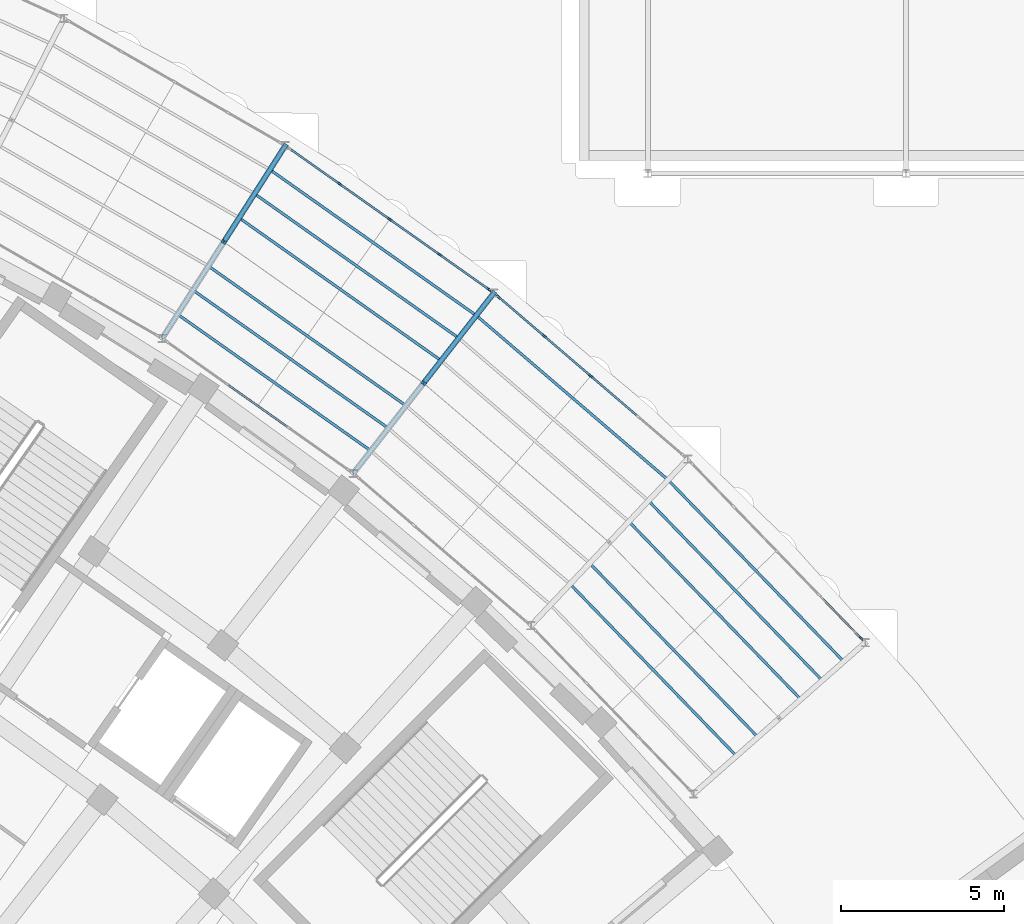
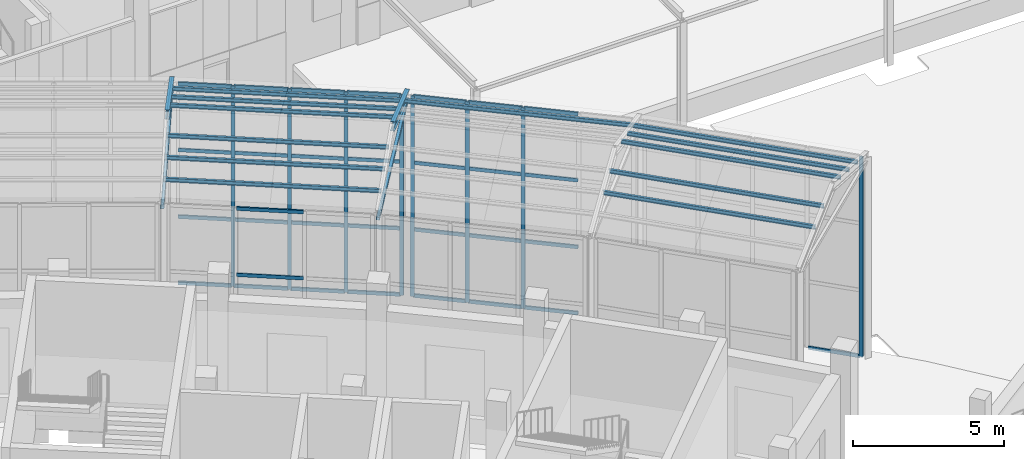
# One storey, part 56 of 155: 51 members, 4 beams, 4 elements without a shape of their own.
"""IFC4 building model written with IfcOpenShell, lengths in metres."""

from ifc_helpers import new_model, si_unit, direction, frame, origin, origin_2d, place, context, subcontext, project, spatial, rectangle, hollow_rectangle, i_section, extrude, material, layer, layer_set, material_profile, profile_set, type_object, element, aggregate, save


model = new_model("IFC4")

# Units and contexts
model_context = context("Model", 3, precision=1e-05, world=origin(), true_north=direction((0.0, 1.0)))
body_context = subcontext(model_context, "Body", "Model", "MODEL_VIEW")
ifc_project = project(units=[si_unit("LENGTHUNIT", "METRE"), si_unit("AREAUNIT", "SQUARE_METRE"), si_unit("VOLUMEUNIT", "CUBIC_METRE"), si_unit("PLANEANGLEUNIT", "RADIAN"), si_unit("MASSUNIT", "GRAM", prefix="KILO")], contexts=[model_context])

# Site, building, storey
site_placement = place(None, origin())
site = spatial("IfcSite", under=ifc_project, at=site_placement, CompositionType="ELEMENT")
building_placement = place(site_placement, origin())
building = spatial("IfcBuilding", under=site, at=building_placement, Name="Lunette Opera House", CompositionType="ELEMENT")
storey_placement = place(building_placement, origin())
storey = spatial("IfcBuildingStorey", under=building, at=storey_placement, Name="L00", CompositionType="ELEMENT", Elevation=0.0)

# Curtain wall, members
ifc_material_1 = material(Name="Aluminium", Category="aluminium")
ifc_layer = layer(ifc_material_1, 0.139892578125)
ifc_layer_set = layer_set([ifc_layer], Name="Aluminium")
curtain_wall_type = type_object("IfcCurtainWallType", Name="PASSAGE CURTAIN WALL", PredefinedType="NOTDEFINED", material=ifc_layer_set)
curtain_wall_1_placement = place(storey_placement, origin())
curtain_wall_1 = element("IfcCurtainWall", 1, at=curtain_wall_1_placement, inside=storey, type_object=curtain_wall_type, Name="Passage Curtain Wall EO4 L00", PredefinedType="NOTDEFINED")
ifc_material_2 = material(Name="Aluminium", Category="aluminium")
ifc_material_profile_1 = material_profile(ifc_material_2, rectangle(XDim=0.06005859375, YDim=0.139892578125, at=origin_2d()), Name="MULLION 60 X 140")
ifc_profile_set_1 = profile_set([ifc_material_profile_1], Name="Aluminium")
member_type_1 = type_object("IfcMemberType", Name="MULLION 60 X 140", PredefinedType="MULLION", material=ifc_profile_set_1)
member_1_placement = place(storey_placement, frame((142.662841796875, 69.2802734375, 0.0), z_axis=(0.0, 0.0, 1.0), x_axis=(0.577075112682, 0.816691076431, 0.0)))
member_1 = element("IfcMember", 2, at=member_1_placement, type_object=member_type_1, Name="PP-X2010 mullion 2", PredefinedType="MULLION", context=body_context, shape_type="SweptSolid", body=[
    extrude(rectangle(XDim=0.06005859375, YDim=0.139892578125, at=origin_2d()), origin(), (0.0, 0.0, 1.0), 8.10009765625),
])
member_2_placement = place(storey_placement, frame((144.196533203125, 68.196533203125, 0.0), z_axis=(0.0, 0.0, 1.0), x_axis=(0.577075112682, 0.816691076431, 0.0)))
member_2 = element("IfcMember", 3, at=member_2_placement, type_object=member_type_1, Name="PP-X2010 mullion 3", PredefinedType="MULLION", context=body_context, shape_type="SweptSolid", body=[
    extrude(rectangle(XDim=0.06005859375, YDim=0.139892578125, at=origin_2d()), origin(), (0.0, 0.0, 1.0), 8.10009765625),
])
member_3_placement = place(storey_placement, frame((145.730224609375, 67.11279296875, 0.0), z_axis=(0.0, 0.0, 1.0), x_axis=(0.577075112682, 0.816691076431, 0.0)))
member_3 = element("IfcMember", 4, at=member_3_placement, type_object=member_type_1, Name="PP-X2010 mullion 4", PredefinedType="MULLION", context=body_context, shape_type="SweptSolid", body=[
    extrude(rectangle(XDim=0.06005859375, YDim=0.139892578125, at=origin_2d()), origin(), (0.0, 0.0, 1.0), 8.10009765625),
])
member_4_placement = place(storey_placement, frame((147.239501953125, 66.04638671875, 0.0), z_axis=(0.0, 0.0, 1.0), x_axis=(0.577075112682, 0.816691076431, 0.0)))
member_4 = element("IfcMember", 5, at=member_4_placement, type_object=member_type_1, Name="PP-X2010 mullion 5", PredefinedType="MULLION", context=body_context, shape_type="SweptSolid", body=[
    extrude(rectangle(XDim=0.06005859375, YDim=0.139892578125, at=origin_2d()), origin(), (0.0, 0.0, 1.0), 8.10009765625),
])

curtain_wall_2_placement = place(storey_placement, origin())
curtain_wall_2 = element("IfcCurtainWall", 6, at=curtain_wall_2_placement, inside=storey, type_object=curtain_wall_type, Name="Passage Curtain Wall EO5 L00", PredefinedType="NOTDEFINED")
member_5_placement = place(storey_placement, frame((147.523681640625, 65.824462890625, 0.0), z_axis=(0.0, 0.0, 1.0), x_axis=(0.650857137882, 0.759200227916, 0.0)))
member_5 = element("IfcMember", 7, at=member_5_placement, type_object=member_type_1, Name="PP-X2011 mullion 1", PredefinedType="MULLION", context=body_context, shape_type="SweptSolid", body=[
    extrude(rectangle(XDim=0.06005859375, YDim=0.139892578125, at=origin_2d()), origin(), (0.0, 0.0, 1.0), 8.10009765625),
])
member_6_placement = place(storey_placement, frame((148.927001953125, 64.62158203125, 0.0), z_axis=(0.0, 0.0, 1.0), x_axis=(0.650857137882, 0.759200227916, 0.0)))
member_6 = element("IfcMember", 8, at=member_6_placement, type_object=member_type_1, Name="PP-X2011 mullion 2", PredefinedType="MULLION", context=body_context, shape_type="SweptSolid", body=[
    extrude(rectangle(XDim=0.06005859375, YDim=0.139892578125, at=origin_2d()), origin(), (0.0, 0.0, 1.0), 8.10009765625),
])
member_7_placement = place(storey_placement, frame((150.35302734375, 63.39892578125, 0.0), z_axis=(0.0, 0.0, 1.0), x_axis=(0.650857137882, 0.759200227916, 0.0)))
member_7 = element("IfcMember", 9, at=member_7_placement, type_object=member_type_1, Name="PP-X2011 mullion 3", PredefinedType="MULLION", context=body_context, shape_type="SweptSolid", body=[
    extrude(rectangle(XDim=0.06005859375, YDim=0.139892578125, at=origin_2d()), origin(), (0.0, 0.0, 1.0), 8.10009765625),
])

# Curtain wall, member
curtain_wall_3_placement = place(storey_placement, origin())
curtain_wall_3 = element("IfcCurtainWall", 10, at=curtain_wall_3_placement, inside=storey, type_object=curtain_wall_type, Name="Passage Curtain Wall EO6 L00", PredefinedType="NOTDEFINED")
member_8_placement = place(storey_placement, frame((158.626220703125, 55.36865234375, 0.0), z_axis=(0.0, 0.0, 1.0), x_axis=(0.718786617652, 0.695230751825, 0.0)))
member_8 = element("IfcMember", 11, at=member_8_placement, type_object=member_type_1, Name="PP-X2012 mullion 5", PredefinedType="MULLION", context=body_context, shape_type="SweptSolid", body=[
    extrude(rectangle(XDim=0.06005859375, YDim=0.139892578125, at=origin_2d()), origin(), (0.0, 0.0, 1.0), 8.10009765625),
])

# Members
ifc_material_3 = material(Name="Steel S355", Category="steel")
ifc_material_profile_2 = material_profile(ifc_material_3, i_section(OverallWidth=0.08203125, OverallDepth=0.159912109375, WebThickness=0.0048828125, FlangeThickness=0.00732421875, FilletRadius=0.009033203125, at=origin_2d()), Name="IPE 160")
ifc_profile_set_2 = profile_set([ifc_material_profile_2], Name="Steel S355")
member_type_2 = type_object("IfcMemberType", Name="PURLIN IPE 160", PredefinedType="PURLIN", material=ifc_profile_set_2)
member_9_placement = place(storey_placement, frame((137.708984375, 65.2890625, 8.47509765625), z_axis=(0.8166416136, -0.577145107349, 0.0), x_axis=(0.577145107349, 0.8166416136, 0.0)))
element("IfcMember", 12, at=member_9_placement, inside=storey, type_object=member_type_2, Name="mem-PP-L00-PU8A1", PredefinedType="PURLIN", context=body_context, shape_type="SweptSolid", body=[
    extrude(i_section(OverallWidth=0.08203125, OverallDepth=0.159912109375, WebThickness=0.0048828125, FlangeThickness=0.00732421875, FilletRadius=0.009033203125, at=origin_2d()), origin(), (0.0, 0.0, 1.0), 7.24072265625),
])
member_10_placement = place(storey_placement, frame((140.534912109375, 69.714111328125, 8.47509765625), z_axis=(0.816658837582, -0.577120735201, 0.0), x_axis=(0.577120735201, 0.816658837582, 0.0)))
element("IfcMember", 13, at=member_10_placement, inside=storey, type_object=member_type_2, Name="mem-PP-L00-PU8B1", PredefinedType="PURLIN", context=body_context, shape_type="SweptSolid", body=[
    extrude(i_section(OverallWidth=0.08203125, OverallDepth=0.159912109375, WebThickness=0.0048828125, FlangeThickness=0.00732421875, FilletRadius=0.009033203125, at=origin_2d()), origin(), (0.0, 0.0, 1.0), 7.731689453125),
])
member_11_placement = place(storey_placement, frame((138.179931640625, 66.027099609375, 8.75), z_axis=(0.81658887743, -0.577219720087, 0.0), x_axis=(0.577219720087, 0.81658887743, 0.0)))
element("IfcMember", 14, at=member_11_placement, inside=storey, type_object=member_type_2, Name="mem-PP-L00-PU8A2", PredefinedType="PURLIN", context=body_context, shape_type="SweptSolid", body=[
    extrude(i_section(OverallWidth=0.08203125, OverallDepth=0.159912109375, WebThickness=0.0048828125, FlangeThickness=0.00732421875, FilletRadius=0.009033203125, at=origin_2d()), origin(), (0.0, 0.0, 1.0), 7.3232421875),
])
member_12_placement = place(storey_placement, frame((140.06396484375, 68.97607421875, 8.75), z_axis=(0.816638704528, -0.577149223569, 0.0), x_axis=(0.577149223569, 0.816638704528, 0.0)))
element("IfcMember", 15, at=member_12_placement, inside=storey, type_object=member_type_2, Name="mem-PP-L00-PU8B2", PredefinedType="PURLIN", context=body_context, shape_type="SweptSolid", body=[
    extrude(i_section(OverallWidth=0.08203125, OverallDepth=0.159912109375, WebThickness=0.0048828125, FlangeThickness=0.00732421875, FilletRadius=0.009033203125, at=origin_2d()), origin(), (0.0, 0.0, 1.0), 7.649658203125),
])
member_13_placement = place(storey_placement, frame((138.65087890625, 66.763916015625, 9.02490234375), z_axis=(0.816688150884, -0.577079252968, 0.0), x_axis=(0.577079252968, 0.816688150884, 0.0)))
element("IfcMember", 16, at=member_13_placement, inside=storey, type_object=member_type_2, Name="mem-PP-L00-PU8A3", PredefinedType="PURLIN", context=body_context, shape_type="SweptSolid", body=[
    extrude(i_section(OverallWidth=0.08203125, OverallDepth=0.159912109375, WebThickness=0.0048828125, FlangeThickness=0.00732421875, FilletRadius=0.009033203125, at=origin_2d()), origin(), (0.0, 0.0, 1.0), 7.404541015625),
])
member_14_placement = place(storey_placement, frame((139.593017578125, 68.239013671875, 9.02490234375), z_axis=(0.816618134023, -0.577178328756, 0.0), x_axis=(0.577178328756, 0.816618134023, 0.0)))
element("IfcMember", 17, at=member_14_placement, inside=storey, type_object=member_type_2, Name="mem-PP-L00-PU8B3", PredefinedType="PURLIN", context=body_context, shape_type="SweptSolid", body=[
    extrude(i_section(OverallWidth=0.08203125, OverallDepth=0.159912109375, WebThickness=0.0048828125, FlangeThickness=0.00732421875, FilletRadius=0.009033203125, at=origin_2d()), origin(), (0.0, 0.0, 1.0), 7.567626953125),
])
member_15_placement = place(storey_placement, frame((146.84912109375, 65.251953125, 8.47509765625), z_axis=(0.759151838636, -0.650913577901, 0.0), x_axis=(0.650913577901, 0.759151838636, 0.0)))
element("IfcMember", 18, at=member_15_placement, inside=storey, type_object=member_type_2, Name="mem-PP-L00-PU9B1", PredefinedType="PURLIN", context=body_context, shape_type="SweptSolid", body=[
    extrude(i_section(OverallWidth=0.08203125, OverallDepth=0.159912109375, WebThickness=0.0048828125, FlangeThickness=0.00732421875, FilletRadius=0.009033203125, at=origin_2d()), origin(), (0.0, 0.0, 1.0), 7.732177734375),
])
member_16_placement = place(storey_placement, frame((152.718994140625, 60.218994140625, 8.47509765625), z_axis=(0.695166811491, -0.718848457049, 0.0), x_axis=(0.718848457049, 0.695166811491, 0.0)))
element("IfcMember", 19, at=member_16_placement, inside=storey, type_object=member_type_2, Name="mem-PP-L00-PU10B1", PredefinedType="PURLIN", context=body_context, shape_type="SweptSolid", body=[
    extrude(i_section(OverallWidth=0.08203125, OverallDepth=0.159912109375, WebThickness=0.0048828125, FlangeThickness=0.00732421875, FilletRadius=0.009033203125, at=origin_2d()), origin(), (0.0, 0.0, 1.0), 7.73193359375),
])
member_17_placement = place(storey_placement, frame((149.719970703125, 57.033935546875, 8.75), z_axis=(0.695137567164, -0.718876736804, 0.0), x_axis=(0.718876736804, 0.695137567164, 0.0)))
element("IfcMember", 20, at=member_17_placement, inside=storey, type_object=member_type_2, Name="mem-PP-L00-PU10A2", PredefinedType="PURLIN", context=body_context, shape_type="SweptSolid", body=[
    extrude(i_section(OverallWidth=0.08203125, OverallDepth=0.159912109375, WebThickness=0.0048828125, FlangeThickness=0.00732421875, FilletRadius=0.009033203125, at=origin_2d()), origin(), (0.0, 0.0, 1.0), 7.322509765625),
])
member_18_placement = place(storey_placement, frame((152.118896484375, 59.58203125, 8.75), z_axis=(0.695119968288, -0.718893754102, 0.0), x_axis=(0.718893754102, 0.695119968288, 0.0)))
element("IfcMember", 21, at=member_18_placement, inside=storey, type_object=member_type_2, Name="mem-PP-L00-PU10B2", PredefinedType="PURLIN", context=body_context, shape_type="SweptSolid", body=[
    extrude(i_section(OverallWidth=0.08203125, OverallDepth=0.159912109375, WebThickness=0.0048828125, FlangeThickness=0.00732421875, FilletRadius=0.009033203125, at=origin_2d()), origin(), (0.0, 0.0, 1.0), 7.650634765625),
])
member_19_placement = place(storey_placement, frame((150.320068359375, 57.6708984375, 9.02490234375), z_axis=(0.695120382042, -0.71889335403, 0.0), x_axis=(0.71889335403, 0.695120382042, 0.0)))
element("IfcMember", 22, at=member_19_placement, inside=storey, type_object=member_type_2, Name="mem-PP-L00-PU10A3", PredefinedType="PURLIN", context=body_context, shape_type="SweptSolid", body=[
    extrude(i_section(OverallWidth=0.08203125, OverallDepth=0.159912109375, WebThickness=0.0048828125, FlangeThickness=0.00732421875, FilletRadius=0.009033203125, at=origin_2d()), origin(), (0.0, 0.0, 1.0), 7.404541015625),
])
member_20_placement = place(storey_placement, frame((151.51904296875, 58.945068359375, 9.02490234375), z_axis=(0.695103799942, -0.71890938741, 0.0), x_axis=(0.71890938741, 0.695103799942, 0.0)))
element("IfcMember", 23, at=member_20_placement, inside=storey, type_object=member_type_2, Name="mem-PP-L00-PU10B3", PredefinedType="PURLIN", context=body_context, shape_type="SweptSolid", body=[
    extrude(i_section(OverallWidth=0.08203125, OverallDepth=0.159912109375, WebThickness=0.0048828125, FlangeThickness=0.00732421875, FilletRadius=0.009033203125, at=origin_2d()), origin(), (0.0, 0.0, 1.0), 7.568603515625),
])

# Beams
ifc_material_4 = material(Name="Steel S355", Category="steel")
ifc_material_profile_3 = material_profile(ifc_material_4, i_section(OverallWidth=0.159912109375, OverallDepth=0.330078125, WebThickness=0.007568359375, FlangeThickness=0.011474609375, FilletRadius=0.01806640625, at=origin_2d()), Name="IPE 330")
ifc_profile_set_3 = profile_set([ifc_material_profile_3], Name="Steel S355")
beam_type_1 = type_object("IfcBeamType", Name="STEEL BEAM IPE 330", PredefinedType="BEAM", material=ifc_profile_set_3)
beam_1_placement = place(storey_placement, frame((141.006103515625, 70.450927734375, 8.14990234375), z_axis=(-0.51349194113, -0.804007143277, 0.299830852239), x_axis=(0.842781515448, -0.538255810205, 0.0)))
element("IfcBeam", 24, at=beam_1_placement, inside=storey, type_object=beam_type_1, Name="beam-PP-L00-RF8B", PredefinedType="BEAM", context=body_context, shape_type="SweptSolid", body=[
    extrude(i_section(OverallWidth=0.159912109375, OverallDepth=0.330078125, WebThickness=0.007568359375, FlangeThickness=0.011474609375, FilletRadius=0.01806640625, at=origin_2d()), origin(), (0.0, 0.0, 1.0), 3.6689453125),
])
beam_2_placement = place(storey_placement, frame((147.386962890625, 65.94189453125, 8.14990234375), z_axis=(-0.586274283817, -0.752573879192, 0.299858334038), x_axis=(0.788874952752, -0.614553747789, 0.0)))
element("IfcBeam", 25, at=beam_2_placement, inside=storey, type_object=beam_type_1, Name="beam-PP-L00-RF9B", PredefinedType="BEAM", context=body_context, shape_type="SweptSolid", body=[
    extrude(i_section(OverallWidth=0.159912109375, OverallDepth=0.330078125, WebThickness=0.007568359375, FlangeThickness=0.011474609375, FilletRadius=0.01806640625, at=origin_2d()), origin(), (0.0, 0.0, 1.0), 3.668701171875),
])
ifc_material_5 = material(Name="Steel S355", Category="steel")
ifc_material_profile_4 = material_profile(ifc_material_5, hollow_rectangle(XDim=0.1201171875, YDim=0.1201171875, WallThickness=0.006103515625, InnerFilletRadius=0.006103515625, OuterFilletRadius=0.011962890625, at=origin_2d()), Name="RHS 120X120X6")
ifc_profile_set_4 = profile_set([ifc_material_profile_4], Name="Steel S355")
beam_type_2 = type_object("IfcBeamType", Name="STEEL BEAM RHS 120X120X6", PredefinedType="BEAM", material=ifc_profile_set_4)
beam_3_placement = place(storey_placement, frame((137.238037109375, 64.552001953125, 7.949951171875), z_axis=(0.538319097218, 0.842741092846, 0.0), x_axis=(-0.842741092846, 0.538319097218, 0.0)))
element("IfcBeam", 26, at=beam_3_placement, inside=storey, type_object=beam_type_2, Name="beam-PP-L00-TI8", PredefinedType="BEAM", context=body_context, shape_type="SweptSolid", body=[
    extrude(hollow_rectangle(XDim=0.1201171875, YDim=0.1201171875, WallThickness=0.006103515625, InnerFilletRadius=0.006103515625, OuterFilletRadius=0.011962890625, at=origin_2d()), origin(), (0.0, 0.0, 1.0), 6.999755859375),
])
beam_4_placement = place(storey_placement, frame((143.083984375, 60.419921875, 7.949951171875), z_axis=(0.61466225797, 0.788790408554, 0.0), x_axis=(-0.788790408554, 0.61466225797, 0.0)))
element("IfcBeam", 27, at=beam_4_placement, inside=storey, type_object=beam_type_2, Name="beam-PP-L00-TI9", PredefinedType="BEAM", context=body_context, shape_type="SweptSolid", body=[
    extrude(hollow_rectangle(XDim=0.1201171875, YDim=0.1201171875, WallThickness=0.006103515625, InnerFilletRadius=0.006103515625, OuterFilletRadius=0.011962890625, at=origin_2d()), origin(), (0.0, 0.0, 1.0), 7.00048828125),
])

# Curtain wall, members
curtain_wall_4_placement = place(storey_placement, origin())
curtain_wall_4 = element("IfcCurtainWall", 28, at=curtain_wall_4_placement, inside=storey, type_object=curtain_wall_type, Name="Passage Curtain Wall EI4 L00", PredefinedType="NOTDEFINED")
ifc_material_6 = material(Name="Aluminium", Category="aluminium")
ifc_material_profile_5 = material_profile(ifc_material_6, rectangle(XDim=0.06005859375, YDim=0.139892578125, at=origin_2d()), Name="TRANSOM 60 X 140")
ifc_profile_set_5 = profile_set([ifc_material_profile_5], Name="Aluminium")
member_type_3 = type_object("IfcMemberType", Name="TRANSOM 60 X 140", PredefinedType="USERDEFINED", material=ifc_profile_set_5)
member_21_placement = place(storey_placement, frame((139.251953125, 63.12841796875, 5.39990234375), z_axis=(0.816694235675, -0.577070641617, 0.0), x_axis=(0.577070641617, 0.816694235675, 0.0)))
member_21 = element("IfcMember", 29, at=member_21_placement, type_object=member_type_3, Name="PP-X2004 transom 2.3", ObjectType="TRANSOM", PredefinedType="USERDEFINED", context=body_context, shape_type="SweptSolid", body=[
    extrude(rectangle(XDim=0.06005859375, YDim=0.139892578125, at=origin_2d()), origin(), (0.0, 0.0, 1.0), 2.22607421875),
])
member_22_placement = place(storey_placement, frame((139.251953125, 63.12841796875, 8.070068359375), z_axis=(0.816694235675, -0.577070641617, 0.0), x_axis=(0.577070641617, 0.816694235675, 0.0)))
member_22 = element("IfcMember", 30, at=member_22_placement, type_object=member_type_3, Name="PP-X2004 transom 2.4", ObjectType="TRANSOM", PredefinedType="USERDEFINED", context=body_context, shape_type="SweptSolid", body=[
    extrude(rectangle(XDim=0.06005859375, YDim=0.139892578125, at=origin_2d()), origin(), (0.0, 0.0, 1.0), 2.22607421875),
])
aggregate(curtain_wall_4, [member_21, member_22])

# Member
member_23_placement = place(storey_placement, frame((141.177978515625, 70.329345703125, 0.030029296875), z_axis=(0.816702877247, -0.577058411511, 0.0), x_axis=(0.577058411511, 0.816702877247, 0.0)))
member_23 = element("IfcMember", 31, at=member_23_placement, type_object=member_type_3, Name="PP-X2010 transom 1.1", ObjectType="TRANSOM", PredefinedType="USERDEFINED", context=body_context, shape_type="SweptSolid", body=[
    extrude(rectangle(XDim=0.06005859375, YDim=0.139892578125, at=origin_2d()), origin(), (0.0, 0.0, 1.0), 1.787841796875),
])

member_24_placement = place(storey_placement, frame((141.177978515625, 70.329345703125, 2.699951171875), z_axis=(0.816702877247, -0.577058411511, 0.0), x_axis=(0.577058411511, 0.816702877247, 0.0)))
member_24 = element("IfcMember", 32, at=member_24_placement, type_object=member_type_3, Name="PP-X2010 transom 1.2", ObjectType="TRANSOM", PredefinedType="USERDEFINED", context=body_context, shape_type="SweptSolid", body=[
    extrude(rectangle(XDim=0.06005859375, YDim=0.139892578125, at=origin_2d()), origin(), (0.0, 0.0, 1.0), 1.787841796875),
])

member_25_placement = place(storey_placement, frame((141.177978515625, 70.329345703125, 5.39990234375), z_axis=(0.816702877247, -0.577058411511, 0.0), x_axis=(0.577058411511, 0.816702877247, 0.0)))
member_25 = element("IfcMember", 33, at=member_25_placement, type_object=member_type_3, Name="PP-X2010 transom 1.3", ObjectType="TRANSOM", PredefinedType="USERDEFINED", context=body_context, shape_type="SweptSolid", body=[
    extrude(rectangle(XDim=0.06005859375, YDim=0.139892578125, at=origin_2d()), origin(), (0.0, 0.0, 1.0), 1.787841796875),
])

member_26_placement = place(storey_placement, frame((141.177978515625, 70.329345703125, 8.070068359375), z_axis=(0.816702877247, -0.577058411511, 0.0), x_axis=(0.577058411511, 0.816702877247, 0.0)))
member_26 = element("IfcMember", 34, at=member_26_placement, type_object=member_type_3, Name="PP-X2010 transom 1.4", ObjectType="TRANSOM", PredefinedType="USERDEFINED", context=body_context, shape_type="SweptSolid", body=[
    extrude(rectangle(XDim=0.06005859375, YDim=0.139892578125, at=origin_2d()), origin(), (0.0, 0.0, 1.0), 1.787841796875),
])

member_27_placement = place(storey_placement, frame((142.687255859375, 69.262939453125, 0.030029296875), z_axis=(0.816725890975, -0.577025839119, 0.0), x_axis=(0.577025839119, 0.816725890975, 0.0)))
member_27 = element("IfcMember", 35, at=member_27_placement, type_object=member_type_3, Name="PP-X2010 transom 2.1", ObjectType="TRANSOM", PredefinedType="USERDEFINED", context=body_context, shape_type="SweptSolid", body=[
    extrude(rectangle(XDim=0.06005859375, YDim=0.139892578125, at=origin_2d()), origin(), (0.0, 0.0, 1.0), 1.818115234375),
])

member_28_placement = place(storey_placement, frame((142.687255859375, 69.262939453125, 2.699951171875), z_axis=(0.816725890975, -0.577025839119, 0.0), x_axis=(0.577025839119, 0.816725890975, 0.0)))
member_28 = element("IfcMember", 36, at=member_28_placement, type_object=member_type_3, Name="PP-X2010 transom 2.2", ObjectType="TRANSOM", PredefinedType="USERDEFINED", context=body_context, shape_type="SweptSolid", body=[
    extrude(rectangle(XDim=0.06005859375, YDim=0.139892578125, at=origin_2d()), origin(), (0.0, 0.0, 1.0), 1.818115234375),
])

member_29_placement = place(storey_placement, frame((142.687255859375, 69.262939453125, 5.39990234375), z_axis=(0.816725890975, -0.577025839119, 0.0), x_axis=(0.577025839119, 0.816725890975, 0.0)))
member_29 = element("IfcMember", 37, at=member_29_placement, type_object=member_type_3, Name="PP-X2010 transom 2.3", ObjectType="TRANSOM", PredefinedType="USERDEFINED", context=body_context, shape_type="SweptSolid", body=[
    extrude(rectangle(XDim=0.06005859375, YDim=0.139892578125, at=origin_2d()), origin(), (0.0, 0.0, 1.0), 1.818115234375),
])

member_30_placement = place(storey_placement, frame((142.687255859375, 69.262939453125, 8.070068359375), z_axis=(0.816725890975, -0.577025839119, 0.0), x_axis=(0.577025839119, 0.816725890975, 0.0)))
member_30 = element("IfcMember", 38, at=member_30_placement, type_object=member_type_3, Name="PP-X2010 transom 2.4", ObjectType="TRANSOM", PredefinedType="USERDEFINED", context=body_context, shape_type="SweptSolid", body=[
    extrude(rectangle(XDim=0.06005859375, YDim=0.139892578125, at=origin_2d()), origin(), (0.0, 0.0, 1.0), 1.818115234375),
])

member_31_placement = place(storey_placement, frame((144.220947265625, 68.17919921875, 0.030029296875), z_axis=(0.816725890975, -0.577025839119, 0.0), x_axis=(0.577025839119, 0.816725890975, 0.0)))
member_31 = element("IfcMember", 39, at=member_31_placement, type_object=member_type_3, Name="PP-X2010 transom 3.1", ObjectType="TRANSOM", PredefinedType="USERDEFINED", context=body_context, shape_type="SweptSolid", body=[
    extrude(rectangle(XDim=0.06005859375, YDim=0.139892578125, at=origin_2d()), origin(), (0.0, 0.0, 1.0), 1.818115234375),
])

member_32_placement = place(storey_placement, frame((144.220947265625, 68.17919921875, 2.699951171875), z_axis=(0.816725890975, -0.577025839119, 0.0), x_axis=(0.577025839119, 0.816725890975, 0.0)))
member_32 = element("IfcMember", 40, at=member_32_placement, type_object=member_type_3, Name="PP-X2010 transom 3.2", ObjectType="TRANSOM", PredefinedType="USERDEFINED", context=body_context, shape_type="SweptSolid", body=[
    extrude(rectangle(XDim=0.06005859375, YDim=0.139892578125, at=origin_2d()), origin(), (0.0, 0.0, 1.0), 1.818115234375),
])

member_33_placement = place(storey_placement, frame((144.220947265625, 68.17919921875, 5.39990234375), z_axis=(0.816725890975, -0.577025839119, 0.0), x_axis=(0.577025839119, 0.816725890975, 0.0)))
member_33 = element("IfcMember", 41, at=member_33_placement, type_object=member_type_3, Name="PP-X2010 transom 3.3", ObjectType="TRANSOM", PredefinedType="USERDEFINED", context=body_context, shape_type="SweptSolid", body=[
    extrude(rectangle(XDim=0.06005859375, YDim=0.139892578125, at=origin_2d()), origin(), (0.0, 0.0, 1.0), 1.818115234375),
])

member_34_placement = place(storey_placement, frame((144.220947265625, 68.17919921875, 8.070068359375), z_axis=(0.816725890975, -0.577025839119, 0.0), x_axis=(0.577025839119, 0.816725890975, 0.0)))
member_34 = element("IfcMember", 42, at=member_34_placement, type_object=member_type_3, Name="PP-X2010 transom 3.4", ObjectType="TRANSOM", PredefinedType="USERDEFINED", context=body_context, shape_type="SweptSolid", body=[
    extrude(rectangle(XDim=0.06005859375, YDim=0.139892578125, at=origin_2d()), origin(), (0.0, 0.0, 1.0), 1.818115234375),
])

member_35_placement = place(storey_placement, frame((145.754638671875, 67.095458984375, 0.030029296875), z_axis=(0.816748340153, -0.576994063104, 0.0), x_axis=(0.576994063104, 0.816748340153, 0.0)))
member_35 = element("IfcMember", 43, at=member_35_placement, type_object=member_type_3, Name="PP-X2010 transom 4.1", ObjectType="TRANSOM", PredefinedType="USERDEFINED", context=body_context, shape_type="SweptSolid", body=[
    extrude(rectangle(XDim=0.06005859375, YDim=0.139892578125, at=origin_2d()), origin(), (0.0, 0.0, 1.0), 1.7880859375),
])

member_36_placement = place(storey_placement, frame((145.754638671875, 67.095458984375, 2.699951171875), z_axis=(0.816748340153, -0.576994063104, 0.0), x_axis=(0.576994063104, 0.816748340153, 0.0)))
member_36 = element("IfcMember", 44, at=member_36_placement, type_object=member_type_3, Name="PP-X2010 transom 4.2", ObjectType="TRANSOM", PredefinedType="USERDEFINED", context=body_context, shape_type="SweptSolid", body=[
    extrude(rectangle(XDim=0.06005859375, YDim=0.139892578125, at=origin_2d()), origin(), (0.0, 0.0, 1.0), 1.7880859375),
])

member_37_placement = place(storey_placement, frame((145.754638671875, 67.095458984375, 5.39990234375), z_axis=(0.816748340153, -0.576994063104, 0.0), x_axis=(0.576994063104, 0.816748340153, 0.0)))
member_37 = element("IfcMember", 45, at=member_37_placement, type_object=member_type_3, Name="PP-X2010 transom 4.3", ObjectType="TRANSOM", PredefinedType="USERDEFINED", context=body_context, shape_type="SweptSolid", body=[
    extrude(rectangle(XDim=0.06005859375, YDim=0.139892578125, at=origin_2d()), origin(), (0.0, 0.0, 1.0), 1.7880859375),
])

member_38_placement = place(storey_placement, frame((145.754638671875, 67.095458984375, 8.070068359375), z_axis=(0.816748340153, -0.576994063104, 0.0), x_axis=(0.576994063104, 0.816748340153, 0.0)))
member_38 = element("IfcMember", 46, at=member_38_placement, type_object=member_type_3, Name="PP-X2010 transom 4.4", ObjectType="TRANSOM", PredefinedType="USERDEFINED", context=body_context, shape_type="SweptSolid", body=[
    extrude(rectangle(XDim=0.06005859375, YDim=0.139892578125, at=origin_2d()), origin(), (0.0, 0.0, 1.0), 1.7880859375),
])

aggregate(curtain_wall_1, [member_1, member_2, member_3, member_4, member_23, member_24, member_25, member_26, member_27, member_28, member_29, member_30, member_31, member_32, member_33, member_34, member_35, member_36, member_37, member_38])

member_39_placement = place(storey_placement, frame((147.546630859375, 65.804931640625, 0.030029296875), z_axis=(0.759227689976, -0.65082510306, 0.0), x_axis=(0.65082510306, 0.759227689976, 0.0)))
member_39 = element("IfcMember", 47, at=member_39_placement, type_object=member_type_3, Name="PP-X2011 transom 1.1", ObjectType="TRANSOM", PredefinedType="USERDEFINED", context=body_context, shape_type="SweptSolid", body=[
    extrude(rectangle(XDim=0.06005859375, YDim=0.139892578125, at=origin_2d()), origin(), (0.0, 0.0, 1.0), 1.788330078125),
])

member_40_placement = place(storey_placement, frame((147.546630859375, 65.804931640625, 2.699951171875), z_axis=(0.759227689976, -0.65082510306, 0.0), x_axis=(0.65082510306, 0.759227689976, 0.0)))
member_40 = element("IfcMember", 48, at=member_40_placement, type_object=member_type_3, Name="PP-X2011 transom 1.2", ObjectType="TRANSOM", PredefinedType="USERDEFINED", context=body_context, shape_type="SweptSolid", body=[
    extrude(rectangle(XDim=0.06005859375, YDim=0.139892578125, at=origin_2d()), origin(), (0.0, 0.0, 1.0), 1.788330078125),
])

member_41_placement = place(storey_placement, frame((147.546630859375, 65.804931640625, 5.39990234375), z_axis=(0.759227689976, -0.65082510306, 0.0), x_axis=(0.65082510306, 0.759227689976, 0.0)))
member_41 = element("IfcMember", 49, at=member_41_placement, type_object=member_type_3, Name="PP-X2011 transom 1.3", ObjectType="TRANSOM", PredefinedType="USERDEFINED", context=body_context, shape_type="SweptSolid", body=[
    extrude(rectangle(XDim=0.06005859375, YDim=0.139892578125, at=origin_2d()), origin(), (0.0, 0.0, 1.0), 1.788330078125),
])

member_42_placement = place(storey_placement, frame((147.546630859375, 65.804931640625, 8.070068359375), z_axis=(0.759227689976, -0.65082510306, 0.0), x_axis=(0.65082510306, 0.759227689976, 0.0)))
member_42 = element("IfcMember", 50, at=member_42_placement, type_object=member_type_3, Name="PP-X2011 transom 1.4", ObjectType="TRANSOM", PredefinedType="USERDEFINED", context=body_context, shape_type="SweptSolid", body=[
    extrude(rectangle(XDim=0.06005859375, YDim=0.139892578125, at=origin_2d()), origin(), (0.0, 0.0, 1.0), 1.788330078125),
])

member_43_placement = place(storey_placement, frame((148.94970703125, 64.60205078125, 0.030029296875), z_axis=(0.759199739446, -0.650857707663, 0.0), x_axis=(0.650857707663, 0.759199739446, 0.0)))
member_43 = element("IfcMember", 51, at=member_43_placement, type_object=member_type_3, Name="PP-X2011 transom 2.1", ObjectType="TRANSOM", PredefinedType="USERDEFINED", context=body_context, shape_type="SweptSolid", body=[
    extrude(rectangle(XDim=0.06005859375, YDim=0.139892578125, at=origin_2d()), origin(), (0.0, 0.0, 1.0), 1.818603515625),
])

member_44_placement = place(storey_placement, frame((148.94970703125, 64.60205078125, 2.699951171875), z_axis=(0.759199739446, -0.650857707663, 0.0), x_axis=(0.650857707663, 0.759199739446, 0.0)))
member_44 = element("IfcMember", 52, at=member_44_placement, type_object=member_type_3, Name="PP-X2011 transom 2.2", ObjectType="TRANSOM", PredefinedType="USERDEFINED", context=body_context, shape_type="SweptSolid", body=[
    extrude(rectangle(XDim=0.06005859375, YDim=0.139892578125, at=origin_2d()), origin(), (0.0, 0.0, 1.0), 1.818603515625),
])

member_45_placement = place(storey_placement, frame((148.94970703125, 64.60205078125, 5.39990234375), z_axis=(0.759199739446, -0.650857707663, 0.0), x_axis=(0.650857707663, 0.759199739446, 0.0)))
member_45 = element("IfcMember", 53, at=member_45_placement, type_object=member_type_3, Name="PP-X2011 transom 2.3", ObjectType="TRANSOM", PredefinedType="USERDEFINED", context=body_context, shape_type="SweptSolid", body=[
    extrude(rectangle(XDim=0.06005859375, YDim=0.139892578125, at=origin_2d()), origin(), (0.0, 0.0, 1.0), 1.818603515625),
])

member_46_placement = place(storey_placement, frame((148.94970703125, 64.60205078125, 8.070068359375), z_axis=(0.759199739446, -0.650857707663, 0.0), x_axis=(0.650857707663, 0.759199739446, 0.0)))
member_46 = element("IfcMember", 54, at=member_46_placement, type_object=member_type_3, Name="PP-X2011 transom 2.4", ObjectType="TRANSOM", PredefinedType="USERDEFINED", context=body_context, shape_type="SweptSolid", body=[
    extrude(rectangle(XDim=0.06005859375, YDim=0.139892578125, at=origin_2d()), origin(), (0.0, 0.0, 1.0), 1.818603515625),
])

member_47_placement = place(storey_placement, frame((150.375732421875, 63.37939453125, 0.030029296875), z_axis=(0.75920920803, -0.650846662773, 0.0), x_axis=(0.650846662773, 0.75920920803, 0.0)))
member_47 = element("IfcMember", 55, at=member_47_placement, type_object=member_type_3, Name="PP-X2011 transom 3.1", ObjectType="TRANSOM", PredefinedType="USERDEFINED", context=body_context, shape_type="SweptSolid", body=[
    extrude(rectangle(XDim=0.06005859375, YDim=0.139892578125, at=origin_2d()), origin(), (0.0, 0.0, 1.0), 1.818115234375),
])

member_48_placement = place(storey_placement, frame((150.375732421875, 63.37939453125, 2.699951171875), z_axis=(0.75920920803, -0.650846662773, 0.0), x_axis=(0.650846662773, 0.75920920803, 0.0)))
member_48 = element("IfcMember", 56, at=member_48_placement, type_object=member_type_3, Name="PP-X2011 transom 3.2", ObjectType="TRANSOM", PredefinedType="USERDEFINED", context=body_context, shape_type="SweptSolid", body=[
    extrude(rectangle(XDim=0.06005859375, YDim=0.139892578125, at=origin_2d()), origin(), (0.0, 0.0, 1.0), 1.818115234375),
])

member_49_placement = place(storey_placement, frame((150.375732421875, 63.37939453125, 5.39990234375), z_axis=(0.75920920803, -0.650846662773, 0.0), x_axis=(0.650846662773, 0.75920920803, 0.0)))
member_49 = element("IfcMember", 57, at=member_49_placement, type_object=member_type_3, Name="PP-X2011 transom 3.3", ObjectType="TRANSOM", PredefinedType="USERDEFINED", context=body_context, shape_type="SweptSolid", body=[
    extrude(rectangle(XDim=0.06005859375, YDim=0.139892578125, at=origin_2d()), origin(), (0.0, 0.0, 1.0), 1.818115234375),
])

member_50_placement = place(storey_placement, frame((150.375732421875, 63.37939453125, 8.070068359375), z_axis=(0.75920920803, -0.650846662773, 0.0), x_axis=(0.650846662773, 0.75920920803, 0.0)))
member_50 = element("IfcMember", 58, at=member_50_placement, type_object=member_type_3, Name="PP-X2011 transom 3.4", ObjectType="TRANSOM", PredefinedType="USERDEFINED", context=body_context, shape_type="SweptSolid", body=[
    extrude(rectangle(XDim=0.06005859375, YDim=0.139892578125, at=origin_2d()), origin(), (0.0, 0.0, 1.0), 1.818115234375),
])

aggregate(curtain_wall_2, [member_5, member_6, member_7, member_39, member_40, member_41, member_42, member_43, member_44, member_45, member_46, member_47, member_48, member_49, member_50])

member_51_placement = place(storey_placement, frame((157.36181640625, 56.67578125, 0.030029296875), z_axis=(0.695200836329, -0.718815551562, 0.0), x_axis=(0.718815551562, 0.695200836329, 0.0)))
member_51 = element("IfcMember", 59, at=member_51_placement, type_object=member_type_3, Name="PP-X2012 transom 4.1", ObjectType="TRANSOM", PredefinedType="USERDEFINED", context=body_context, shape_type="SweptSolid", body=[
    extrude(rectangle(XDim=0.06005859375, YDim=0.139892578125, at=origin_2d()), origin(), (0.0, 0.0, 1.0), 1.78857421875),
])

aggregate(curtain_wall_3, [member_8, member_51])

save(model, "model.ifc")
